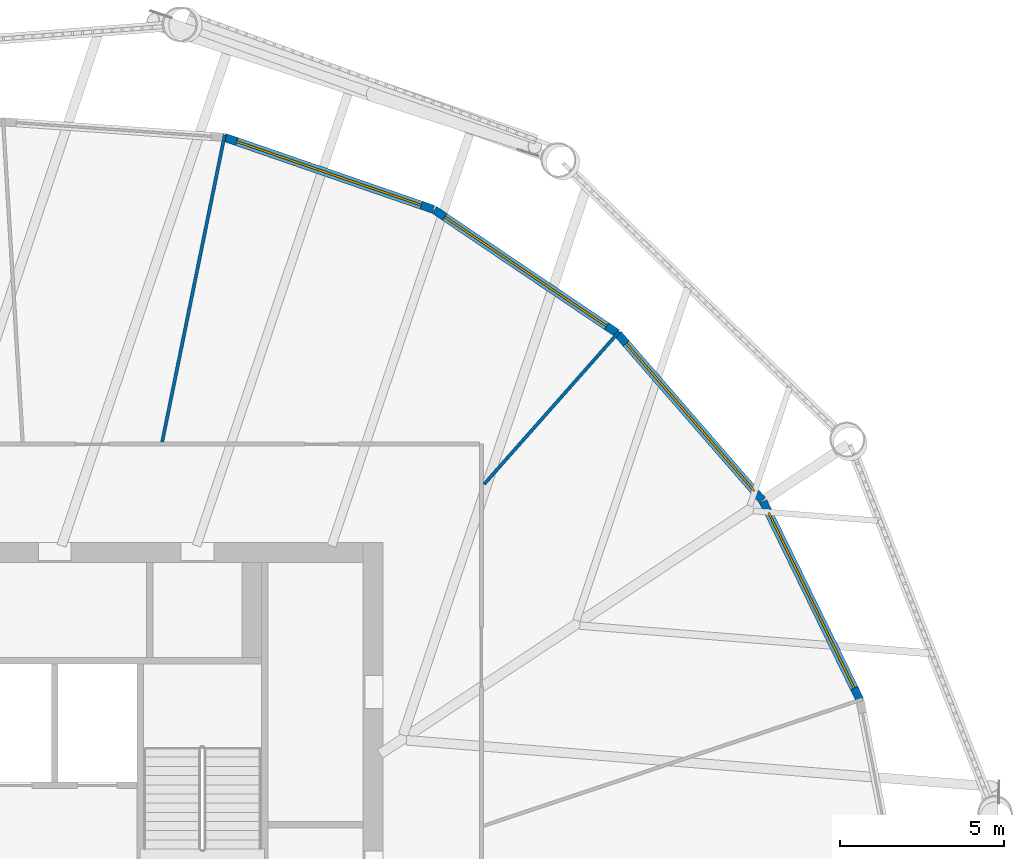
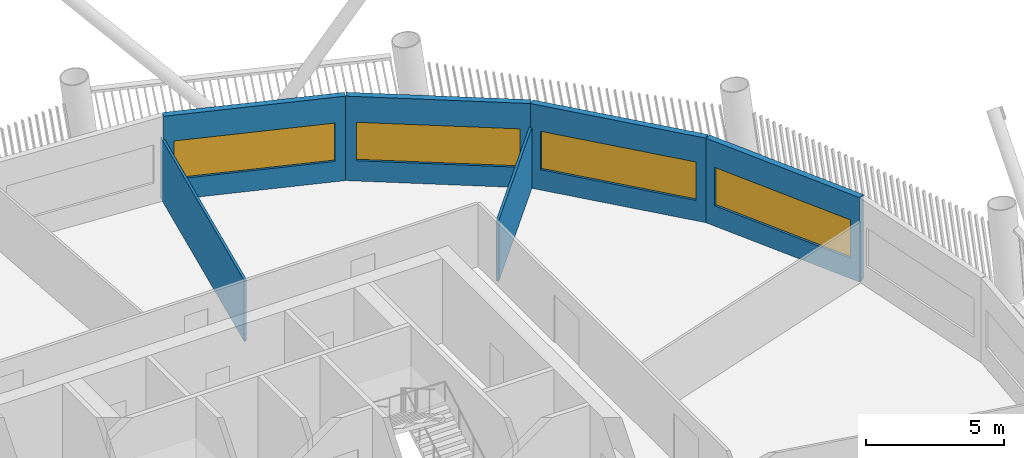
# One storey, part 7 of 21: 6 walls, 4 windows, 4 openings.
"""IFC4 building model written with IfcOpenShell, lengths in metres."""

from ifc_helpers import new_model, si_unit, direction, frame, frame_2d, origin, place, context, subcontext, project, spatial, rectangle, extrude, material, layer, layer_set, type_object, element, fill, save


model = new_model("IFC4")

# Units and contexts
model_context = context("Model", 3, precision=1e-05, world=origin(), true_north=direction((0.0, 1.0)))
body_context = subcontext(model_context, "Body", "Model", "MODEL_VIEW")
ifc_project = project(units=[si_unit("LENGTHUNIT", "METRE"), si_unit("AREAUNIT", "SQUARE_METRE"), si_unit("VOLUMEUNIT", "CUBIC_METRE"), si_unit("PLANEANGLEUNIT", "RADIAN"), si_unit("MASSUNIT", "GRAM", prefix="KILO")], contexts=[model_context])

# Site, building, storey
site_placement = place(None, origin())
site = spatial("IfcSite", under=ifc_project, at=site_placement, CompositionType="ELEMENT")
building_placement = place(site_placement, origin())
building = spatial("IfcBuilding", under=site, at=building_placement, Name="Tarsis Ring Headquarters", CompositionType="ELEMENT")
storey_placement = place(building_placement, frame((0.0, 0.0, 208.199951171875)))
storey = spatial("IfcBuildingStorey", under=building, at=storey_placement, Name="L48", CompositionType="ELEMENT", Elevation=208.199951171875)

# Walls
ifc_material_1 = material(Name="Gypsum board on steel studs", Category="steel")
ifc_layer_1 = layer(ifc_material_1, 0.10009765625)
ifc_layer_set_1 = layer_set([ifc_layer_1], Name="FL partition 100 unrated")
wall_type_1 = type_object("IfcWallType", Name="FL partition 100 unrated", PredefinedType="PARTITIONING", material=ifc_layer_set_1)
wall_1_placement = place(storey_placement, frame((3.27490234375, 16.068603515625, 0.0), z_axis=(0.0, 0.0, 1.0), x_axis=(0.199709041566, 0.979855243756, 0.0)))
element("IfcWall", 1, at=wall_1_placement, inside=storey, type_object=wall_type_1, Name="Partition PW3", PredefinedType="PARTITIONING", context=body_context, shape_type="SweptSolid", body=[
    extrude(rectangle(XDim=9.548828125, YDim=0.10009765625, at=frame_2d((4.7744140625, 0.0))), origin(), (0.0, 0.0, 1.0), 2.699951171875),
])
wall_2_placement = place(storey_placement, frame((13.086181640625, 14.78076171875, 0.0), z_axis=(0.0, 0.0, 1.0), x_axis=(0.662865806198, 0.748738220591, 0.0)))
element("IfcWall", 2, at=wall_2_placement, inside=storey, type_object=wall_type_1, Name="Partition PW3", PredefinedType="PARTITIONING", context=body_context, shape_type="SweptSolid", body=[
    extrude(rectangle(XDim=6.206298828125, YDim=0.10009765625, at=frame_2d((3.10302734375, 0.0))), origin(), (0.0, 0.0, 1.0), 2.699951171875),
])

# Wall, opening, window
ifc_material_2 = material(Name="Terracotta clad insulated panel wall", Category="masonry")
ifc_layer_2 = layer(ifc_material_2, 0.25)
ifc_layer_set_2 = layer_set([ifc_layer_2], Name="Facade wall terracotta panel 250")
wall_type_2 = type_object("IfcWallType", Name="Facade wall terracotta panel 250", PredefinedType="STANDARD", material=ifc_layer_set_2)
wall_3_placement = place(storey_placement, frame((24.532470703125, 8.216064453125, 0.0), z_axis=(0.0, 0.0, 1.0), x_axis=(-0.438037162965, 0.898956864294, 0.0)))
wall_3 = element("IfcWall", 3, at=wall_3_placement, inside=storey, type_object=wall_type_2, Name="External wall L48-23", PredefinedType="STANDARD", context=body_context, shape_type="SweptSolid", body=[
    extrude(rectangle(XDim=6.7216796875, YDim=0.25, at=frame_2d((3.36083984375, 0.0))), origin(), (0.0, 0.0, 1.0), 3.739990234375),
])
opening_1_placement = place(wall_3_placement, frame((0.3857421875, 0.0, 0.89990234375)))
opening_1 = element("IfcOpeningElement", 4, at=opening_1_placement, cuts=wall_3, Name="Opening WN07", PredefinedType="OPENING", context=body_context, shape_type="SweptSolid", body=[
    extrude(rectangle(XDim=5.949951171875, YDim=1.699951171875, at=frame_2d((2.97509765625, 0.85009765625))), frame((0.0, 0.135009765625, 0.0), z_axis=(0.0, -1.0, 0.0), x_axis=(1.0, 0.0, 0.0)), (0.0, 0.0, 1.0), 0.27001953125),
])
ifc_material_3 = material(Name="Aluminium framed double glazing", Category="aluminium")
window_type = type_object("IfcWindowType", Name="Facade window 5950 x 1700", PartitioningType="SINGLE_PANEL", PredefinedType="WINDOW", material=ifc_material_3)
window_1_placement = place(opening_1_placement, origin())
window_1 = element("IfcWindow", 5, at=window_1_placement, inside=storey, type_object=window_type, Name="Window L48-23.1", OverallHeight=1.699951171875, OverallWidth=5.949951171875, PartitioningType="SINGLE_PANEL", PredefinedType="WINDOW", context=body_context, shape_type="SweptSolid", body=[
    extrude(rectangle(XDim=5.949951171875, YDim=1.699951171875, at=frame_2d((2.97509765625, 0.85009765625))), frame((0.0, 0.030029296875, 0.0), z_axis=(0.0, -1.0, 0.0), x_axis=(1.0, 0.0, 0.0)), (0.0, 0.0, 1.0), 0.06005859375),
])
fill(opening_1, window_1)

wall_4_placement = place(storey_placement, frame((21.570068359375, 14.28564453125, 0.0), z_axis=(0.0, 0.0, 1.0), x_axis=(-0.655787455455, 0.754945569739, 0.0)))
wall_4 = element("IfcWall", 6, at=wall_4_placement, inside=storey, type_object=wall_type_2, Name="External wall L48-24", PredefinedType="STANDARD", context=body_context, shape_type="SweptSolid", body=[
    extrude(rectangle(XDim=6.7216796875, YDim=0.25, at=frame_2d((3.36083984375, 0.0))), origin(), (0.0, 0.0, 1.0), 3.739990234375),
])
opening_2_placement = place(wall_4_placement, frame((0.3857421875, 0.0, 0.89990234375)))
opening_2 = element("IfcOpeningElement", 7, at=opening_2_placement, cuts=wall_4, Name="Opening WN07", PredefinedType="OPENING", context=body_context, shape_type="SweptSolid", body=[
    extrude(rectangle(XDim=5.949951171875, YDim=1.699951171875, at=frame_2d((2.97509765625, 0.85009765625))), frame((0.0, 0.135009765625, 0.0), z_axis=(0.0, -1.0, 0.0), x_axis=(1.0, 0.0, 0.0)), (0.0, 0.0, 1.0), 0.27001953125),
])
window_2_placement = place(opening_2_placement, origin())
window_2 = element("IfcWindow", 8, at=window_2_placement, inside=storey, type_object=window_type, Name="Window L48-24.1", OverallHeight=1.699951171875, OverallWidth=5.949951171875, PartitioningType="SINGLE_PANEL", PredefinedType="WINDOW", context=body_context, shape_type="SweptSolid", body=[
    extrude(rectangle(XDim=5.949951171875, YDim=1.699951171875, at=frame_2d((2.97509765625, 0.85009765625))), frame((0.0, 0.030029296875, 0.0), z_axis=(0.0, -1.0, 0.0), x_axis=(1.0, 0.0, 0.0)), (0.0, 0.0, 1.0), 0.06005859375),
])
fill(opening_2, window_2)

wall_5_placement = place(storey_placement, frame((17.1376953125, 19.381591796875, 0.0), z_axis=(0.0, 0.0, 1.0), x_axis=(-0.828828882891, 0.559502174156, 0.0)))
wall_5 = element("IfcWall", 9, at=wall_5_placement, inside=storey, type_object=wall_type_2, Name="External wall L48-25", PredefinedType="STANDARD", context=body_context, shape_type="SweptSolid", body=[
    extrude(rectangle(XDim=6.7216796875, YDim=0.25, at=frame_2d((3.36083984375, 0.0))), origin(), (0.0, 0.0, 1.0), 3.739990234375),
])
opening_3_placement = place(wall_5_placement, frame((0.3857421875, 0.0, 0.89990234375)))
opening_3 = element("IfcOpeningElement", 10, at=opening_3_placement, cuts=wall_5, Name="Opening WN07", PredefinedType="OPENING", context=body_context, shape_type="SweptSolid", body=[
    extrude(rectangle(XDim=5.949951171875, YDim=1.699951171875, at=frame_2d((2.97509765625, 0.85009765625))), frame((0.0, 0.135009765625, 0.0), z_axis=(0.0, -1.0, 0.0), x_axis=(1.0, 0.0, 0.0)), (0.0, 0.0, 1.0), 0.27001953125),
])
window_3_placement = place(opening_3_placement, origin())
window_3 = element("IfcWindow", 11, at=window_3_placement, inside=storey, type_object=window_type, Name="Window L48-25.1", OverallHeight=1.699951171875, OverallWidth=5.949951171875, PartitioningType="SINGLE_PANEL", PredefinedType="WINDOW", context=body_context, shape_type="SweptSolid", body=[
    extrude(rectangle(XDim=5.949951171875, YDim=1.699951171875, at=frame_2d((2.97509765625, 0.85009765625))), frame((0.0, 0.030029296875, 0.0), z_axis=(0.0, -1.0, 0.0), x_axis=(1.0, 0.0, 0.0)), (0.0, 0.0, 1.0), 0.06005859375),
])
fill(opening_3, window_3)

wall_6_placement = place(storey_placement, frame((11.537353515625, 23.15673828125, 0.0), z_axis=(0.0, 0.0, 1.0), x_axis=(-0.945397296807, 0.32592016076, 0.0)))
wall_6 = element("IfcWall", 12, at=wall_6_placement, inside=storey, type_object=wall_type_2, Name="External wall L48-26", PredefinedType="STANDARD", context=body_context, shape_type="SweptSolid", body=[
    extrude(rectangle(XDim=6.721435546875, YDim=0.25, at=frame_2d((3.36083984375, 0.0))), origin(), (0.0, 0.0, 1.0), 3.739990234375),
])
opening_4_placement = place(wall_6_placement, frame((0.3857421875, 0.0, 0.89990234375)))
opening_4 = element("IfcOpeningElement", 13, at=opening_4_placement, cuts=wall_6, Name="Opening WN07", PredefinedType="OPENING", context=body_context, shape_type="SweptSolid", body=[
    extrude(rectangle(XDim=5.949951171875, YDim=1.699951171875, at=frame_2d((2.97509765625, 0.85009765625))), frame((0.0, 0.135009765625, 0.0), z_axis=(0.0, -1.0, 0.0), x_axis=(1.0, 0.0, 0.0)), (0.0, 0.0, 1.0), 0.27001953125),
])
window_4_placement = place(opening_4_placement, origin())
window_4 = element("IfcWindow", 14, at=window_4_placement, inside=storey, type_object=window_type, Name="Window L48-26.1", OverallHeight=1.699951171875, OverallWidth=5.949951171875, PartitioningType="SINGLE_PANEL", PredefinedType="WINDOW", context=body_context, shape_type="SweptSolid", body=[
    extrude(rectangle(XDim=5.949951171875, YDim=1.699951171875, at=frame_2d((2.97509765625, 0.85009765625))), frame((0.0, 0.030029296875, 0.0), z_axis=(0.0, -1.0, 0.0), x_axis=(1.0, 0.0, 0.0)), (0.0, 0.0, 1.0), 0.06005859375),
])
fill(opening_4, window_4)

save(model, "model.ifc")
